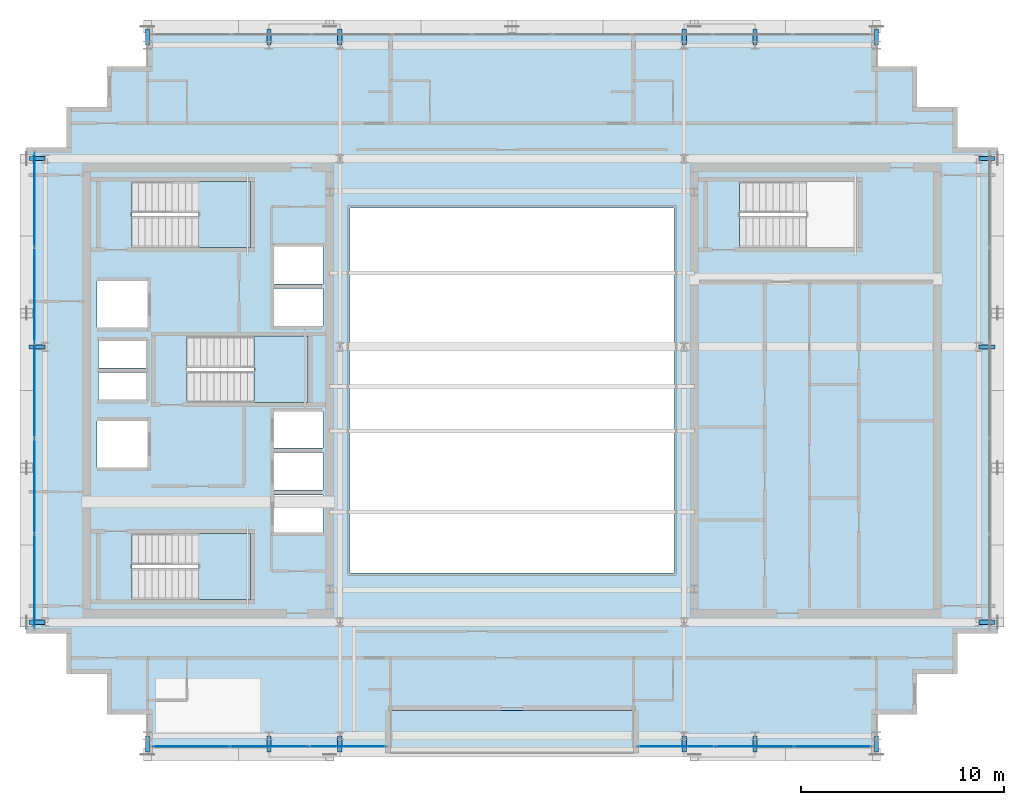
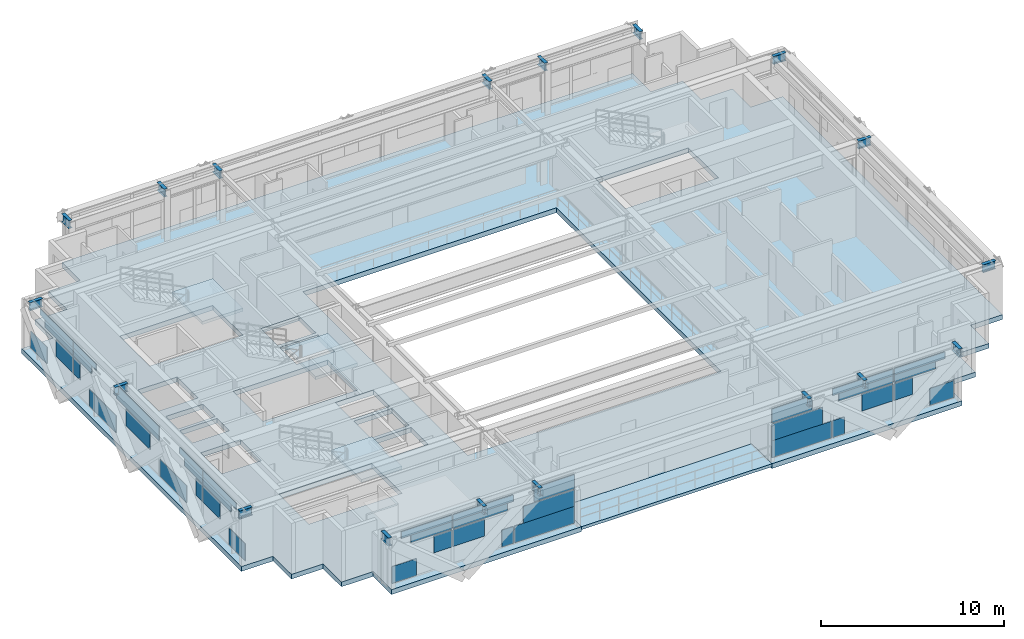
# One storey, part 18 of 29: 40 plates, 18 beams, 5 slabs, 6 elements without a shape of their own.
"""IFC4 building model written with IfcOpenShell, lengths in metres."""

import ifcopenshell
import ifcopenshell.guid

model = None  # the IFC model being written
_history = None  # IfcOwnerHistory: only IFC2X3 demands one
_inside = {}  # id of a spatial element -> (the spatial element, [elements in it])
_under = {}  # id of a project, library or spatial element -> (it, [spatial elements below it])
_declared = {}  # id of a project -> (the project, [libraries it declares])
_typed = {}  # id of a type object -> (the type object, [elements of that type])
_made_of = {}  # id of a material, layer set ... -> (it, [elements and type objects made of it])


def new_model(schema):
    """Start an empty IFC model of exactly this schema.

    Asked for "IFC4X3", IfcOpenShell would pick the latest addendum, in which some entities
    have other attributes; the version numbers below select the first issue.
    IFC2X3 requires an IfcOwnerHistory on every rooted entity: one is made here for all.
    """
    global model, _history
    if schema == "IFC4X3":
        model = ifcopenshell.file(schema_version=(4, 3, 0, 0))
    else:
        model = ifcopenshell.file(schema=schema)
    _inside.clear()
    _under.clear()
    _declared.clear()
    _typed.clear()
    _made_of.clear()
    _history = None
    if model.schema == "IFC2X3":
        org = make("IfcOrganization", Name="unknown")
        user = make(
            "IfcPersonAndOrganization",
            ThePerson=make("IfcPerson", FamilyName="unknown"),
            TheOrganization=org,
        )
        app = make(
            "IfcApplication",
            ApplicationDeveloper=org,
            Version="unknown",
            ApplicationFullName="unknown",
            ApplicationIdentifier="unknown",
        )
        _history = make(
            "IfcOwnerHistory",
            OwningUser=user,
            OwningApplication=app,
            ChangeAction="ADDED",
            CreationDate=0,
        )
    return model


def make(cls, **values):
    """One entity of the class cls with the attributes given. An attribute that is None is left unset."""
    return model.create_entity(
        cls, **{name: value for name, value in values.items() if value is not None}
    )


def rooted(cls, **values):
    """An entity with a GlobalId (a new one), such as an element, a storey or a relation."""
    return make(cls, GlobalId=ifcopenshell.guid.new(), OwnerHistory=_history, **values)


def si_unit(unit_type, name, prefix=None):
    """IfcSIUnit, for example si_unit("LENGTHUNIT", "METRE", prefix="MILLI")."""
    return make("IfcSIUnit", UnitType=unit_type, Prefix=prefix, Name=name)


def assignment(units):
    """IfcUnitAssignment: the units of a project."""
    return None if units is None else make("IfcUnitAssignment", Units=units)


def point(xyz):
    """IfcCartesianPoint."""
    return None if xyz is None else make("IfcCartesianPoint", Coordinates=xyz)


def direction(xyz):
    """IfcDirection."""
    return None if xyz is None else make("IfcDirection", DirectionRatios=xyz)


def frame(location, z_axis=None, x_axis=None):
    """IfcAxis2Placement3D, a coordinate frame: its origin and axes. An axis left out is left unset."""
    return make(
        "IfcAxis2Placement3D",
        Location=point(location),
        Axis=direction(z_axis),
        RefDirection=direction(x_axis),
    )


def frame_2d(location, x_axis=None):
    """IfcAxis2Placement2D, a coordinate frame in the plane: its origin and x axis."""
    return make(
        "IfcAxis2Placement2D", Location=point(location), RefDirection=direction(x_axis)
    )


def origin():
    """The frame at (0, 0, 0) with its axes left unset."""
    return frame((0.0, 0.0, 0.0))


def origin_2d():
    """The frame at (0, 0) in the plane with its x axis left unset."""
    return frame_2d((0.0, 0.0))


def place(relative_to, where):
    """IfcLocalPlacement: puts the frame where relative to a parent placement (None: the world)."""
    return make(
        "IfcLocalPlacement", PlacementRelTo=relative_to, RelativePlacement=where
    )


def context(
    kind, dimensions, precision=None, world=None, true_north=None, identifier=None
):
    """IfcGeometricRepresentationContext, for example the 3D "Model" context."""
    return make(
        "IfcGeometricRepresentationContext",
        ContextIdentifier=identifier,
        ContextType=kind,
        CoordinateSpaceDimension=dimensions,
        Precision=precision,
        WorldCoordinateSystem=world,
        TrueNorth=true_north,
    )


def subcontext(parent, identifier, kind, view, scale=None):
    """IfcGeometricRepresentationSubContext, for example "Body" below "Model"."""
    return make(
        "IfcGeometricRepresentationSubContext",
        ContextIdentifier=identifier,
        ContextType=kind,
        ParentContext=parent,
        TargetScale=scale,
        TargetView=view,
    )


def project(units=None, contexts=None):
    """IfcProject with its units and contexts."""
    return rooted(
        "IfcProject",
        Name="project",
        RepresentationContexts=contexts,
        UnitsInContext=assignment(units),
    )


def spatial(cls, under=None, at=None, **own):
    """A site, building, storey or space (cls), placed at a placement, below another one or the project."""
    s = rooted(cls, ObjectPlacement=at, **own)
    if under is not None:
        _under.setdefault(under.id(), (under, []))[1].append(s)
    return s


def polyline(points):
    """IfcPolyline through the points."""
    return make("IfcPolyline", Points=[point(p) for p in points])


def profile(cls, at=None, kind="AREA", **sizes):
    """A parametric profile (cls). Its sizes go by their IFC names, for example OverallWidth=200.0."""
    return make(cls, ProfileType=kind, Position=at, **sizes)


def rectangle(**sizes):
    """IfcRectangleProfileDef."""
    return profile("IfcRectangleProfileDef", **sizes)


def i_section(**sizes):
    """IfcIShapeProfileDef."""
    return profile("IfcIShapeProfileDef", **sizes)


def outline(outer, holes=None, kind="AREA"):
    """IfcArbitraryClosedProfileDef: a profile drawn as a closed curve; with holes, ...WithVoids."""
    if holes is None:
        return make("IfcArbitraryClosedProfileDef", ProfileType=kind, OuterCurve=outer)
    return make(
        "IfcArbitraryProfileDefWithVoids",
        ProfileType=kind,
        OuterCurve=outer,
        InnerCurves=holes,
    )


def extrude(swept, where, along, depth):
    """IfcExtrudedAreaSolid: the profile swept, set in the frame where, extruded along a direction by depth."""
    return make(
        "IfcExtrudedAreaSolid",
        SweptArea=swept,
        Position=where,
        ExtrudedDirection=direction(along),
        Depth=depth,
    )


def shape(context_of_items, identifier, shape_type, items):
    """IfcShapeRepresentation: the items that make up one representation, for example the "Body"."""
    return make(
        "IfcShapeRepresentation",
        ContextOfItems=context_of_items,
        RepresentationIdentifier=identifier,
        RepresentationType=shape_type,
        Items=items,
    )


def source(mapping_origin, context_of_items, identifier, shape_type, items):
    """IfcRepresentationMap: a shape defined once, which mapped items show again and again."""
    return make(
        "IfcRepresentationMap",
        MappingOrigin=mapping_origin,
        MappedRepresentation=shape(context_of_items, identifier, shape_type, items),
    )


def transform(
    local_origin,
    x_axis=None,
    y_axis=None,
    z_axis=None,
    scale=None,
    scale2=None,
    scale3=None,
    uniform=True,
):
    """IfcCartesianTransformationOperator3D, or its non-uniform kind. x_axis, y_axis, z_axis: its Axis1, 2, 3."""
    if uniform:
        return make(
            "IfcCartesianTransformationOperator3D",
            Axis1=direction(x_axis),
            Axis2=direction(y_axis),
            LocalOrigin=point(local_origin),
            Scale=scale,
            Axis3=direction(z_axis),
        )
    return make(
        "IfcCartesianTransformationOperator3DnonUniform",
        Axis1=direction(x_axis),
        Axis2=direction(y_axis),
        LocalOrigin=point(local_origin),
        Scale=scale,
        Axis3=direction(z_axis),
        Scale2=scale2,
        Scale3=scale3,
    )


def mapped(mapping_source, mapping_target):
    """IfcMappedItem: shows the shape of a source again, moved by a transform."""
    return make(
        "IfcMappedItem", MappingSource=mapping_source, MappingTarget=mapping_target
    )


def material(Name=None, Category=None):
    """IfcMaterial."""
    return make("IfcMaterial", Name=Name, Category=Category)


def layer(
    of_material, thickness, ventilated=None, Name=None, Category=None, Priority=None
):
    """IfcMaterialLayer: one layer of a wall or slab, of a material (None: an air gap)."""
    return make(
        "IfcMaterialLayer",
        Material=of_material,
        LayerThickness=thickness,
        IsVentilated=ventilated,
        Name=Name,
        Category=Category,
        Priority=Priority,
    )


def layer_set(layers, Name=None):
    """IfcMaterialLayerSet."""
    return make("IfcMaterialLayerSet", MaterialLayers=layers, LayerSetName=Name)


def material_profile(
    of_material, cross_section, Name=None, Category=None, Priority=None
):
    """IfcMaterialProfile: a cross section and its material."""
    return make(
        "IfcMaterialProfile",
        Name=Name,
        Material=of_material,
        Profile=cross_section,
        Priority=Priority,
        Category=Category,
    )


def profile_set(profiles, Name=None, composite=None):
    """IfcMaterialProfileSet."""
    return make(
        "IfcMaterialProfileSet",
        Name=Name,
        MaterialProfiles=profiles,
        CompositeProfile=composite,
    )


def made_of(thing, what):
    """Note that an element or type object is made of a material, layer set ...; save() writes the relation."""
    if what is not None:
        _made_of.setdefault(what.id(), (what, []))[1].append(thing)
    return thing


def type_object(cls, material=None, **own):
    """A type object (cls), such as IfcWallType, which elements share."""
    return made_of(rooted(cls, **own), material)


def element(
    cls,
    number,
    at=None,
    inside=None,
    cuts=None,
    type_object=None,
    material=None,
    context=None,
    identifier="Body",
    shape_type=None,
    held_by="IfcProductDefinitionShape",
    body=None,
    shapes=None,
    **own,
):
    """One element of the class cls, such as IfcWall. Its Tag is "e" and its number.

    at: its placement. inside: the storey or other place that contains it. cuts: it is an
    opening in that element (IfcRelVoidsElement). A single representation is given by context,
    identifier, shape_type and body (its items); several are given by shapes. held_by: the class
    of the entity that holds the representations. save() writes the other relations.
    """
    e = rooted(cls, Tag="e%d" % number, ObjectPlacement=at, **own)
    if body is not None:
        shapes = [shape(context, identifier, shape_type, body)]
    if shapes is not None:
        e.Representation = make(held_by, Representations=shapes)
    if inside is not None:
        _inside.setdefault(inside.id(), (inside, []))[1].append(e)
    if cuts is not None:
        rooted(
            "IfcRelVoidsElement", RelatingBuildingElement=cuts, RelatedOpeningElement=e
        )
    if type_object is not None:
        _typed.setdefault(type_object.id(), (type_object, []))[1].append(e)
    return made_of(e, material)


def aggregate(whole, parts):
    """IfcRelAggregates: a whole, such as a stair, and the parts it consists of."""
    return rooted("IfcRelAggregates", RelatingObject=whole, RelatedObjects=parts)


def save(model, path):
    """Write the relations noted so far, then the file.

    IfcRelAggregates (storeys below a building ...), IfcRelContainedInSpatialStructure (elements
    in a storey), IfcRelDefinesByType, IfcRelAssociatesMaterial and IfcRelDeclares: one each for
    every whole, place, type object, material and project.
    """
    for whole, parts in _under.values():
        aggregate(whole, parts)
    for where, things in _inside.values():
        rooted(
            "IfcRelContainedInSpatialStructure",
            RelatedElements=things,
            RelatingStructure=where,
        )
    for kind, things in _typed.values():
        rooted("IfcRelDefinesByType", RelatedObjects=things, RelatingType=kind)
    for what, things in _made_of.values():
        rooted("IfcRelAssociatesMaterial", RelatedObjects=things, RelatingMaterial=what)
    for by, libraries in _declared.values():
        rooted("IfcRelDeclares", RelatingContext=by, RelatedDefinitions=libraries)
    model.write(path)


model = new_model("IFC4")

# Units and contexts
model_context = context("Model", 3, precision=1e-05, world=origin(), true_north=direction((0.0, 1.0)))
body_context = subcontext(model_context, "Body", "Model", "MODEL_VIEW")
ifc_project = project(units=[si_unit("LENGTHUNIT", "METRE"), si_unit("AREAUNIT", "SQUARE_METRE"), si_unit("VOLUMEUNIT", "CUBIC_METRE"), si_unit("PLANEANGLEUNIT", "RADIAN"), si_unit("MASSUNIT", "GRAM", prefix="KILO")], contexts=[model_context])

# Site, building, storey
site_placement = place(None, origin())
site = spatial("IfcSite", under=ifc_project, at=site_placement, CompositionType="ELEMENT")
building_placement = place(site_placement, origin())
building = spatial("IfcBuilding", under=site, at=building_placement, Name="Ocotamira Hotel", CompositionType="ELEMENT")
storey_placement = place(building_placement, frame((0.0, 0.0, 247.199951171875)))
storey = spatial("IfcBuildingStorey", under=building, at=storey_placement, Name="L62", CompositionType="ELEMENT", Elevation=247.199951171875)

# Beams
ifc_material_1 = material(Name="Steel ASTM A992 Grade 50", Category="steel")
ifc_material_profile = material_profile(ifc_material_1, i_section(OverallWidth=0.2099609375, OverallDepth=0.537109375, WebThickness=0.010986328125, FlangeThickness=0.017333984375, FilletRadius=0.012939453125, at=origin_2d()), Name="W21X68")
ifc_profile_set = profile_set([ifc_material_profile], Name="Steel ASTM A992 Grade 50")
beam_type = type_object("IfcBeamType", Name="BM-SEC-W21X68", PredefinedType="JOIST", material=ifc_profile_set)
shared_shape_1 = source(origin(), body_context, "Body", "SweptSolid", [
    extrude(i_section(OverallWidth=0.2099609375, OverallDepth=0.537109375, WebThickness=0.010986328125, FlangeThickness=0.017333984375, FilletRadius=0.012939453125, at=origin_2d()), origin(), (0.0, 0.0, 1.0), 0.800048828125),
])
for number, where, z_axis, x_axis, name in (
    (1, (14.0, 8.949951171875, 3.111572265625), (0.0, -1.0, 0.0), (1.0, 0.0, 0.0), "L62 South Edge Header X14"),
    (2, (14.0, 43.050048828125, 3.111572265625), (0.0, 1.0, 0.0), (-1.0, 0.0, 0.0), "L62 North Edge Header X14"),
    (3, (20.0, 8.949951171875, 3.111572265625), (0.0, -1.0, 0.0), (1.0, 0.0, 0.0), "L62 South Edge Header X20"),
    (4, (20.0, 43.050048828125, 3.111572265625), (0.0, 1.0, 0.0), (-1.0, 0.0, 0.0), "L62 North Edge Header X20"),
    (5, (23.5, 8.949951171875, 3.111572265625), (0.0, -1.0, 0.0), (1.0, 0.0, 0.0), "L62 South Edge Header X23.5"),
    (6, (23.5, 43.050048828125, 3.111572265625), (0.0, 1.0, 0.0), (-1.0, 0.0, 0.0), "L62 North Edge Header X23.5"),
    (7, (40.5, 8.949951171875, 3.111572265625), (0.0, -1.0, 0.0), (1.0, 0.0, 0.0), "L62 South Edge Header X40.5"),
    (8, (40.5, 43.050048828125, 3.111572265625), (0.0, 1.0, 0.0), (-1.0, 0.0, 0.0), "L62 North Edge Header X40.5"),
    (9, (44.0, 8.949951171875, 3.111572265625), (0.0, -1.0, 0.0), (1.0, 0.0, 0.0), "L62 South Edge Header X44"),
    (10, (44.0, 43.050048828125, 3.111572265625), (0.0, 1.0, 0.0), (-1.0, 0.0, 0.0), "L62 North Edge Header X44"),
    (11, (50.0, 8.949951171875, 3.111572265625), (0.0, -1.0, 0.0), (1.0, 0.0, 0.0), "L62 South Edge Header X50"),
    (12, (50.0, 43.050048828125, 3.111572265625), (0.0, 1.0, 0.0), (-1.0, 0.0, 0.0), "L62 North Edge Header X50"),
    (13, (8.949951171875, 14.550048828125, 3.111572265625), (-1.0, 0.0, 0.0), (0.0, -1.0, 0.0), "L62 West Edge Header Y14.55"),
    (14, (55.050048828125, 14.550048828125, 3.111572265625), (1.0, 0.0, 0.0), (0.0, 1.0, 0.0), "L62 East Edge Header Y14.55"),
    (15, (8.949951171875, 28.14990234375, 3.111572265625), (-1.0, 0.0, 0.0), (0.0, -1.0, 0.0), "L62 West Edge Header Y28.15"),
    (16, (55.050048828125, 28.14990234375, 3.111572265625), (1.0, 0.0, 0.0), (0.0, 1.0, 0.0), "L62 East Edge Header Y28.15"),
    (17, (8.949951171875, 37.449951171875, 3.111572265625), (-1.0, 0.0, 0.0), (0.0, -1.0, 0.0), "L62 West Edge Header Y37.45"),
    (18, (55.050048828125, 37.449951171875, 3.111572265625), (1.0, 0.0, 0.0), (0.0, 1.0, 0.0), "L62 East Edge Header Y37.45"),
):
    element("IfcBeam", number, at=place(storey_placement, frame(where, z_axis=z_axis, x_axis=x_axis)), inside=storey, type_object=beam_type, Name=name, PredefinedType="JOIST", context=body_context, shape_type="MappedRepresentation", body=[
        mapped(shared_shape_1, transform((0.0, 0.0, 0.0), scale=1.0)),
    ])

# Slabs
ifc_material_2 = material(Name="Concrete C40/50", Category="concrete")
ifc_layer_1 = layer(ifc_material_2, 0.199951171875)
ifc_layer_set_1 = layer_set([ifc_layer_1], Name="Concrete C40/50")
slab_type_1 = type_object("IfcSlabType", Name="SLB-BAL-200", PredefinedType="FLOOR", material=ifc_layer_set_1)
slab_1_placement = place(storey_placement, frame((0.0, 0.0, -0.199951171875)))
element("IfcSlab", 19, at=slab_1_placement, inside=storey, type_object=slab_type_1, Name="L62 Outdoor Sky Terrace Slab 1", PredefinedType="FLOOR", context=body_context, shape_type="SweptSolid", body=[
    extrude(outline(polyline([(26.0, 8.0), (38.0, 8.0), (38.0, 10.199951171875), (26.0, 10.199951171875), (26.0, 8.0)])), origin(), (0.0, 0.0, 1.0), 0.199951171875),
])
ifc_layer_2 = layer(ifc_material_2, 0.320068359375)
ifc_layer_set_2 = layer_set([ifc_layer_2], Name="Concrete C40/50")
slab_type_2 = type_object("IfcSlabType", Name="SLB-HVY-320", PredefinedType="FLOOR", material=ifc_layer_set_2)
slab_2_placement = place(storey_placement, frame((0.0, 0.0, -0.320068359375)))
element("IfcSlab", 20, at=slab_2_placement, inside=storey, type_object=slab_type_2, Name="L62 Structural Floor Slab", PredefinedType="FLOOR", context=body_context, shape_type="SweptSolid", body=[
    extrude(outline(polyline([(14.0, 8.0), (14.0, 10.0), (12.0, 10.0), (12.0, 12.0), (10.0, 12.0), (10.0, 14.0), (8.0, 14.0), (8.0, 38.0), (10.0, 38.0), (10.0, 40.0), (12.0, 40.0), (12.0, 42.0), (14.0, 42.0), (14.0, 44.0), (50.0, 44.0), (50.0, 42.0), (52.0, 42.0), (52.0, 40.0), (54.0, 40.0), (54.0, 38.0), (56.0, 38.0), (56.0, 14.0), (54.0, 14.0), (54.0, 12.0), (52.0, 12.0), (52.0, 10.0), (50.0, 10.0), (50.0, 8.0), (38.0, 8.0), (38.0, 10.199951171875), (26.0, 10.199951171875), (26.0, 8.0), (14.0, 8.0)]), holes=[polyline([(24.0, 17.0), (40.0, 17.0), (40.0, 35.0), (24.0, 35.0), (24.0, 17.0)]), polyline([(13.22998046875, 15.669921875), (19.090087890625, 15.669921875), (19.090087890625, 18.949951171875), (13.22998046875, 18.949951171875), (13.22998046875, 15.669921875)]), polyline([(13.22998046875, 33.050048828125), (19.090087890625, 33.050048828125), (19.090087890625, 36.330078125), (13.22998046875, 36.330078125), (13.22998046875, 33.050048828125)]), polyline([(15.9599609375, 25.39990234375), (21.919921875, 25.39990234375), (21.919921875, 28.679931640625), (15.9599609375, 28.679931640625), (15.9599609375, 25.39990234375)]), polyline([(43.22998046875, 33.050048828125), (49.090087890625, 33.050048828125), (49.090087890625, 36.330078125), (43.22998046875, 36.330078125), (43.22998046875, 33.050048828125)]), polyline([(20.25, 19.0), (22.659912109375, 19.0), (22.659912109375, 20.85009765625), (20.25, 20.85009765625), (20.25, 19.0)]), polyline([(20.25, 21.080078125), (22.659912109375, 21.080078125), (22.659912109375, 22.929931640625), (20.25, 22.929931640625), (20.25, 21.080078125)]), polyline([(20.25, 23.159912109375), (22.659912109375, 23.159912109375), (22.659912109375, 24.9599609375), (20.25, 24.9599609375), (20.25, 23.159912109375)]), polyline([(20.25, 29.179931640625), (22.659912109375, 29.179931640625), (22.659912109375, 31.030029296875), (20.25, 31.030029296875), (20.25, 29.179931640625)]), polyline([(20.25, 31.260009765625), (22.659912109375, 31.260009765625), (22.659912109375, 33.110107421875), (20.25, 33.110107421875), (20.25, 31.260009765625)]), polyline([(11.5, 22.199951171875), (14.0, 22.199951171875), (14.0, 24.5), (11.5, 24.5), (11.5, 22.199951171875)]), polyline([(11.5, 29.10009765625), (14.0, 29.10009765625), (14.0, 31.39990234375), (11.5, 31.39990234375), (11.5, 29.10009765625)]), polyline([(11.580078125, 25.550048828125), (13.919921875, 25.550048828125), (13.919921875, 26.89990234375), (11.580078125, 26.89990234375), (11.580078125, 25.550048828125)]), polyline([(11.580078125, 27.10009765625), (13.919921875, 27.10009765625), (13.919921875, 28.449951171875), (11.580078125, 28.449951171875), (11.580078125, 27.10009765625)])]), origin(), (0.0, 0.0, 1.0), 0.320068359375),
])

# Stair, slab
stair_type = type_object("IfcStairType", Name="ST-CORE-1560", PredefinedType="HALF_TURN_STAIR", material=ifc_material_2)
stair_1_placement = place(storey_placement, origin())
stair_1 = element("IfcStair", 21, at=stair_1_placement, inside=storey, type_object=stair_type, Name="L62 Exit Stair ST-1", PredefinedType="HALF_TURN_STAIR")
ifc_layer_3 = layer(ifc_material_2, 0.199951171875)
ifc_layer_set_3 = layer_set([ifc_layer_3], Name="Concrete C40/50")
slab_type_3 = type_object("IfcSlabType", Name="SLB-LAND-200", PredefinedType="LANDING", material=ifc_layer_set_3)
slab_3_placement = place(storey_placement, frame((0.0, 0.0, 1.60009765625)))
slab_3 = element("IfcSlab", 22, at=slab_3_placement, type_object=slab_type_3, Name="ST-1 landing 1", PredefinedType="LANDING", context=body_context, shape_type="SweptSolid", body=[
    extrude(outline(polyline([(16.530029296875, 15.669921875), (19.090087890625, 15.669921875), (19.090087890625, 18.949951171875), (16.530029296875, 18.949951171875), (16.530029296875, 15.669921875)])), origin(), (0.0, 0.0, 1.0), 0.199951171875),
])
aggregate(stair_1, [slab_3])

stair_2_placement = place(storey_placement, origin())
stair_2 = element("IfcStair", 23, at=stair_2_placement, inside=storey, type_object=stair_type, Name="L62 Exit Stair ST-2", PredefinedType="HALF_TURN_STAIR")
slab_4_placement = place(storey_placement, frame((0.0, 0.0, 1.60009765625)))
slab_4 = element("IfcSlab", 24, at=slab_4_placement, type_object=slab_type_3, Name="ST-2 landing 1", PredefinedType="LANDING", context=body_context, shape_type="SweptSolid", body=[
    extrude(outline(polyline([(16.530029296875, 33.050048828125), (19.090087890625, 33.050048828125), (19.090087890625, 36.330078125), (16.530029296875, 36.330078125), (16.530029296875, 33.050048828125)])), origin(), (0.0, 0.0, 1.0), 0.199951171875),
])
aggregate(stair_2, [slab_4])

stair_3_placement = place(storey_placement, origin())
stair_3 = element("IfcStair", 25, at=stair_3_placement, inside=storey, type_object=stair_type, Name="L62 Exit Stair ST-3", PredefinedType="HALF_TURN_STAIR")
slab_5_placement = place(storey_placement, frame((0.0, 0.0, 1.60009765625)))
slab_5 = element("IfcSlab", 26, at=slab_5_placement, type_object=slab_type_3, Name="ST-3 landing 1", PredefinedType="LANDING", context=body_context, shape_type="SweptSolid", body=[
    extrude(outline(polyline([(19.260009765625, 25.39990234375), (21.919921875, 25.39990234375), (21.919921875, 28.679931640625), (19.260009765625, 28.679931640625), (19.260009765625, 25.39990234375)])), origin(), (0.0, 0.0, 1.0), 0.199951171875),
])
aggregate(stair_3, [slab_5])

# Curtain wall, plate
ifc_material_3 = material(Name="Anodised pale-metal aluminium and solar glass", Category="aluminium")
ifc_layer_4 = layer(ifc_material_3, 0.239990234375)
ifc_layer_set_4 = layer_set([ifc_layer_4], Name="Anodised pale-metal aluminium and solar glass")
curtain_wall_type = type_object("IfcCurtainWallType", Name="CW-SYS5-SKY", PredefinedType="NOTDEFINED", material=ifc_layer_set_4)
curtain_wall_1_placement = place(storey_placement, origin())
curtain_wall_1 = element("IfcCurtainWall", 27, at=curtain_wall_1_placement, inside=storey, type_object=curtain_wall_type, Name="L62 Curtain Wall CW-5 CW-L62-S1", PredefinedType="NOTDEFINED")
ifc_material_4 = material(Name="Double-silver low-E insulated solar glass", Category="glass")
ifc_layer_5 = layer(ifc_material_4, 0.031982421875)
ifc_layer_set_5 = layer_set([ifc_layer_5], Name="Double-silver low-E insulated solar glass")
plate_type = type_object("IfcPlateType", Name="CWP-VISION-32", PredefinedType="CURTAIN_PANEL", material=ifc_layer_set_5)
shared_shape_2 = source(origin(), body_context, "Body", "SweptSolid", [
    extrude(rectangle(XDim=3.76318359375, YDim=0.031982421875, at=origin_2d()), origin(), (0.0, 0.0, 1.0), 1.118896484375),
])
plate_1_placement = place(storey_placement, frame((23.88818359375, 8.419921875, 0.0751953125), z_axis=(0.0, 0.0, 1.0), x_axis=(1.0, 0.0, 0.0)))
plate_1 = element("IfcPlate", 28, at=plate_1_placement, type_object=plate_type, Name="CW-5 panel 3.1.1", PredefinedType="CURTAIN_PANEL", context=body_context, shape_type="MappedRepresentation", body=[
    mapped(shared_shape_2, transform((0.0, 0.0, 0.0), scale=1.0)),
])

curtain_wall_2_placement = place(storey_placement, origin())
curtain_wall_2 = element("IfcCurtainWall", 29, at=curtain_wall_2_placement, inside=storey, type_object=curtain_wall_type, Name="L62 Curtain Wall CW-5 CW-L62-S2", PredefinedType="NOTDEFINED")
plate_2_placement = place(storey_placement, frame((40.11181640625, 8.419921875, 0.0751953125), z_axis=(0.0, 0.0, 1.0), x_axis=(1.0, 0.0, 0.0)))
plate_2 = element("IfcPlate", 30, at=plate_2_placement, type_object=plate_type, Name="CW-5 panel 1.1.1", PredefinedType="CURTAIN_PANEL", context=body_context, shape_type="MappedRepresentation", body=[
    mapped(shared_shape_2, transform((0.0, 0.0, 0.0), scale=1.0)),
])

curtain_wall_3_placement = place(storey_placement, origin())
curtain_wall_3 = element("IfcCurtainWall", 31, at=curtain_wall_3_placement, inside=storey, type_object=curtain_wall_type, Name="L62 Curtain Wall CW-5 CW-L62-W", PredefinedType="NOTDEFINED")
shared_shape_3 = source(origin(), body_context, "Body", "SweptSolid", [
    extrude(rectangle(XDim=4.639892578125, YDim=0.031982421875, at=origin_2d()), origin(), (0.0, 0.0, 1.0), 0.91748046875),
])
plate_3_placement = place(storey_placement, frame((8.419921875, 26.0, 2.387451171875), z_axis=(0.0, 0.0, 1.0), x_axis=(0.0, 1.0, 0.0)))
plate_3 = element("IfcPlate", 32, at=plate_3_placement, type_object=plate_type, Name="CW-5 panel 3.2", PredefinedType="CURTAIN_PANEL", context=body_context, shape_type="MappedRepresentation", body=[
    mapped(shared_shape_3, transform((0.0, 0.0, 0.0), scale=1.0)),
])

# Plate
shared_shape_4 = source(origin(), body_context, "Body", "SweptSolid", [
    extrude(rectangle(XDim=1.523681640625, YDim=0.031982421875, at=origin_2d()), origin(), (0.0, 0.0, 1.0), 1.118896484375),
])
plate_4_placement = place(storey_placement, frame((15.0419921875, 8.419921875, 0.0751953125), z_axis=(0.0, 0.0, 1.0), x_axis=(1.0, 0.0, 0.0)))
plate_4 = element("IfcPlate", 33, at=plate_4_placement, type_object=plate_type, Name="CW-5 panel 1.1.1", PredefinedType="CURTAIN_PANEL", context=body_context, shape_type="MappedRepresentation", body=[
    mapped(shared_shape_4, transform((0.0, 0.0, 0.0), scale=1.0)),
])

plate_5_placement = place(storey_placement, frame((48.9580078125, 8.419921875, 0.0751953125), z_axis=(0.0, 0.0, 1.0), x_axis=(1.0, 0.0, 0.0)))
plate_5 = element("IfcPlate", 34, at=plate_5_placement, type_object=plate_type, Name="CW-5 panel 3.1.2", PredefinedType="CURTAIN_PANEL", context=body_context, shape_type="MappedRepresentation", body=[
    mapped(shared_shape_4, transform((0.0, 0.0, 0.0), scale=1.0)),
])

shared_shape_5 = source(origin(), body_context, "Body", "SweptSolid", [
    extrude(rectangle(XDim=1.13720703125, YDim=0.031982421875, at=origin_2d()), origin(), (0.0, 0.0, 1.0), 1.11865234375),
])
plate_6_placement = place(storey_placement, frame((17.474609375, 8.419921875, 1.19384765625), z_axis=(0.0, 0.0, 1.0), x_axis=(1.0, 0.0, 0.0)))
plate_6 = element("IfcPlate", 35, at=plate_6_placement, type_object=plate_type, Name="CW-5 panel 1.1.2", PredefinedType="CURTAIN_PANEL", context=body_context, shape_type="MappedRepresentation", body=[
    mapped(shared_shape_5, transform((0.0, 0.0, 0.0), scale=1.0)),
])

plate_7_placement = place(storey_placement, frame((46.525390625, 8.419921875, 1.19384765625), z_axis=(0.0, 0.0, 1.0), x_axis=(1.0, 0.0, 0.0)))
plate_7 = element("IfcPlate", 36, at=plate_7_placement, type_object=plate_type, Name="CW-5 panel 3.1.1", PredefinedType="CURTAIN_PANEL", context=body_context, shape_type="MappedRepresentation", body=[
    mapped(shared_shape_5, transform((0.0, 0.0, 0.0), scale=1.0)),
])

shared_shape_6 = source(origin(), body_context, "Body", "SweptSolid", [
    extrude(rectangle(XDim=3.182861328125, YDim=0.031982421875, at=origin_2d()), origin(), (0.0, 0.0, 1.0), 0.429443359375),
])
plate_8_placement = place(storey_placement, frame((16.451904296875, 8.419921875, 2.87548828125), z_axis=(0.0, 0.0, 1.0), x_axis=(1.0, 0.0, 0.0)))
plate_8 = element("IfcPlate", 37, at=plate_8_placement, type_object=plate_type, Name="CW-5 panel 1.2.1", PredefinedType="CURTAIN_PANEL", context=body_context, shape_type="MappedRepresentation", body=[
    mapped(shared_shape_6, transform((0.0, 0.0, 0.0), scale=1.0)),
])

plate_9_placement = place(storey_placement, frame((47.548095703125, 8.419921875, 2.87548828125), z_axis=(0.0, 0.0, 1.0), x_axis=(1.0, 0.0, 0.0)))
plate_9 = element("IfcPlate", 38, at=plate_9_placement, type_object=plate_type, Name="CW-5 panel 3.2.2", PredefinedType="CURTAIN_PANEL", context=body_context, shape_type="MappedRepresentation", body=[
    mapped(shared_shape_6, transform((0.0, 0.0, 0.0), scale=1.0)),
])

shared_shape_7 = source(origin(), body_context, "Body", "SweptSolid", [
    extrude(rectangle(XDim=2.589111328125, YDim=0.031982421875, at=origin_2d()), origin(), (0.0, 0.0, 1.0), 0.488037109375),
])
plate_10_placement = place(storey_placement, frame((16.748779296875, 8.419921875, 2.3876953125), z_axis=(0.0, 0.0, 1.0), x_axis=(1.0, 0.0, 0.0)))
plate_10 = element("IfcPlate", 39, at=plate_10_placement, type_object=plate_type, Name="CW-5 panel 1.2.2", PredefinedType="CURTAIN_PANEL", context=body_context, shape_type="MappedRepresentation", body=[
    mapped(shared_shape_7, transform((0.0, 0.0, 0.0), scale=1.0)),
])

plate_11_placement = place(storey_placement, frame((47.251220703125, 8.419921875, 2.3876953125), z_axis=(0.0, 0.0, 1.0), x_axis=(1.0, 0.0, 0.0)))
plate_11 = element("IfcPlate", 40, at=plate_11_placement, type_object=plate_type, Name="CW-5 panel 3.2.1", PredefinedType="CURTAIN_PANEL", context=body_context, shape_type="MappedRepresentation", body=[
    mapped(shared_shape_7, transform((0.0, 0.0, 0.0), scale=1.0)),
])

shared_shape_8 = source(origin(), body_context, "Body", "SweptSolid", [
    extrude(rectangle(XDim=1.970703125, YDim=0.031982421875, at=origin_2d()), origin(), (0.0, 0.0, 1.0), 1.11865234375),
])
plate_12_placement = place(storey_placement, frame((19.108642578125, 8.419921875, 1.19384765625), z_axis=(0.0, 0.0, 1.0), x_axis=(1.0, 0.0, 0.0)))
plate_12 = element("IfcPlate", 41, at=plate_12_placement, type_object=plate_type, Name="CW-5 panel 2.1.1", PredefinedType="CURTAIN_PANEL", context=body_context, shape_type="MappedRepresentation", body=[
    mapped(shared_shape_8, transform((0.0, 0.0, 0.0), scale=1.0)),
])

plate_13_placement = place(storey_placement, frame((44.891357421875, 8.419921875, 1.19384765625), z_axis=(0.0, 0.0, 1.0), x_axis=(1.0, 0.0, 0.0)))
plate_13 = element("IfcPlate", 42, at=plate_13_placement, type_object=plate_type, Name="CW-5 panel 2.1.2", PredefinedType="CURTAIN_PANEL", context=body_context, shape_type="MappedRepresentation", body=[
    mapped(shared_shape_8, transform((0.0, 0.0, 0.0), scale=1.0)),
])

shared_shape_9 = source(origin(), body_context, "Body", "SweptSolid", [
    extrude(rectangle(XDim=0.73046875, YDim=0.031982421875, at=origin_2d()), origin(), (0.0, 0.0, 1.0), 1.118896484375),
])
plate_14_placement = place(storey_placement, frame((21.561279296875, 8.419921875, 0.0751953125), z_axis=(0.0, 0.0, 1.0), x_axis=(1.0, 0.0, 0.0)))
plate_14 = element("IfcPlate", 43, at=plate_14_placement, type_object=plate_type, Name="CW-5 panel 2.1.2", PredefinedType="CURTAIN_PANEL", context=body_context, shape_type="MappedRepresentation", body=[
    mapped(shared_shape_9, transform((0.0, 0.0, 0.0), scale=1.0)),
])

plate_15_placement = place(storey_placement, frame((42.438720703125, 8.419921875, 0.0751953125), z_axis=(0.0, 0.0, 1.0), x_axis=(1.0, 0.0, 0.0)))
plate_15 = element("IfcPlate", 44, at=plate_15_placement, type_object=plate_type, Name="CW-5 panel 2.1.1", PredefinedType="CURTAIN_PANEL", context=body_context, shape_type="MappedRepresentation", body=[
    mapped(shared_shape_9, transform((0.0, 0.0, 0.0), scale=1.0)),
])

shared_shape_10 = source(origin(), body_context, "Body", "SweptSolid", [
    extrude(rectangle(XDim=3.422607421875, YDim=0.031982421875, at=origin_2d()), origin(), (0.0, 0.0, 1.0), 0.488037109375),
])
plate_16_placement = place(storey_placement, frame((19.834716796875, 8.419921875, 2.3876953125), z_axis=(0.0, 0.0, 1.0), x_axis=(1.0, 0.0, 0.0)))
plate_16 = element("IfcPlate", 45, at=plate_16_placement, type_object=plate_type, Name="CW-5 panel 2.2.1", PredefinedType="CURTAIN_PANEL", context=body_context, shape_type="MappedRepresentation", body=[
    mapped(shared_shape_10, transform((0.0, 0.0, 0.0), scale=1.0)),
])

plate_17_placement = place(storey_placement, frame((44.165283203125, 8.419921875, 2.3876953125), z_axis=(0.0, 0.0, 1.0), x_axis=(1.0, 0.0, 0.0)))
plate_17 = element("IfcPlate", 46, at=plate_17_placement, type_object=plate_type, Name="CW-5 panel 2.2.2", PredefinedType="CURTAIN_PANEL", context=body_context, shape_type="MappedRepresentation", body=[
    mapped(shared_shape_10, transform((0.0, 0.0, 0.0), scale=1.0)),
])

shared_shape_11 = source(origin(), body_context, "Body", "SweptSolid", [
    extrude(rectangle(XDim=3.80322265625, YDim=0.031982421875, at=origin_2d()), origin(), (0.0, 0.0, 1.0), 0.429443359375),
])
plate_18_placement = place(storey_placement, frame((20.02490234375, 8.419921875, 2.87548828125), z_axis=(0.0, 0.0, 1.0), x_axis=(1.0, 0.0, 0.0)))
plate_18 = element("IfcPlate", 47, at=plate_18_placement, type_object=plate_type, Name="CW-5 panel 2.2.2", PredefinedType="CURTAIN_PANEL", context=body_context, shape_type="MappedRepresentation", body=[
    mapped(shared_shape_11, transform((0.0, 0.0, 0.0), scale=1.0)),
])

plate_19_placement = place(storey_placement, frame((43.97509765625, 8.419921875, 2.87548828125), z_axis=(0.0, 0.0, 1.0), x_axis=(1.0, 0.0, 0.0)))
plate_19 = element("IfcPlate", 48, at=plate_19_placement, type_object=plate_type, Name="CW-5 panel 2.2.1", PredefinedType="CURTAIN_PANEL", context=body_context, shape_type="MappedRepresentation", body=[
    mapped(shared_shape_11, transform((0.0, 0.0, 0.0), scale=1.0)),
])

shared_shape_12 = source(origin(), body_context, "Body", "SweptSolid", [
    extrude(rectangle(XDim=3.213134765625, YDim=0.031982421875, at=origin_2d()), origin(), (0.0, 0.0, 1.0), 1.11865234375),
])
plate_20_placement = place(storey_placement, frame((24.163330078125, 8.419921875, 1.19384765625), z_axis=(0.0, 0.0, 1.0), x_axis=(1.0, 0.0, 0.0)))
plate_20 = element("IfcPlate", 49, at=plate_20_placement, type_object=plate_type, Name="CW-5 panel 3.1.2", PredefinedType="CURTAIN_PANEL", context=body_context, shape_type="MappedRepresentation", body=[
    mapped(shared_shape_12, transform((0.0, 0.0, 0.0), scale=1.0)),
])

plate_21_placement = place(storey_placement, frame((39.836669921875, 8.419921875, 1.19384765625), z_axis=(0.0, 0.0, 1.0), x_axis=(1.0, 0.0, 0.0)))
plate_21 = element("IfcPlate", 50, at=plate_21_placement, type_object=plate_type, Name="CW-5 panel 1.1.2", PredefinedType="CURTAIN_PANEL", context=body_context, shape_type="MappedRepresentation", body=[
    mapped(shared_shape_12, transform((0.0, 0.0, 0.0), scale=1.0)),
])

shared_shape_13 = source(origin(), body_context, "Body", "SweptSolid", [
    extrude(rectangle(XDim=2.5283203125, YDim=0.031982421875, at=origin_2d()), origin(), (0.0, 0.0, 1.0), 0.91748046875),
])
plate_22_placement = place(storey_placement, frame((24.505859375, 8.419921875, 2.387451171875), z_axis=(0.0, 0.0, 1.0), x_axis=(1.0, 0.0, 0.0)))
plate_22 = element("IfcPlate", 51, at=plate_22_placement, type_object=plate_type, Name="CW-5 panel 3.2.1", PredefinedType="CURTAIN_PANEL", context=body_context, shape_type="MappedRepresentation", body=[
    mapped(shared_shape_13, transform((0.0, 0.0, 0.0), scale=1.0)),
])

aggregate(curtain_wall_1, [plate_4, plate_6, plate_8, plate_10, plate_12, plate_14, plate_16, plate_18, plate_1, plate_20, plate_22])

plate_23_placement = place(storey_placement, frame((39.494140625, 8.419921875, 2.387451171875), z_axis=(0.0, 0.0, 1.0), x_axis=(1.0, 0.0, 0.0)))
plate_23 = element("IfcPlate", 52, at=plate_23_placement, type_object=plate_type, Name="CW-5 panel 1.2.1", PredefinedType="CURTAIN_PANEL", context=body_context, shape_type="MappedRepresentation", body=[
    mapped(shared_shape_13, transform((0.0, 0.0, 0.0), scale=1.0)),
])

aggregate(curtain_wall_2, [plate_2, plate_21, plate_23, plate_15, plate_13, plate_19, plate_17, plate_7, plate_5, plate_11, plate_9])

shared_shape_14 = source(origin(), body_context, "Body", "SweptSolid", [
    extrude(rectangle(XDim=1.764404296875, YDim=0.031982421875, at=origin_2d()), origin(), (0.0, 0.0, 1.0), 1.118896484375),
])
plate_24_placement = place(storey_placement, frame((8.419921875, 15.162109375, 0.0751953125), z_axis=(0.0, 0.0, 1.0), x_axis=(0.0, 1.0, 0.0)))
plate_24 = element("IfcPlate", 53, at=plate_24_placement, type_object=plate_type, Name="CW-5 panel 1.1.1", PredefinedType="CURTAIN_PANEL", context=body_context, shape_type="MappedRepresentation", body=[
    mapped(shared_shape_14, transform((0.0, 0.0, 0.0), scale=1.0)),
])

plate_25_placement = place(storey_placement, frame((8.419921875, 36.837890625, 0.0751953125), z_axis=(0.0, 0.0, 1.0), x_axis=(0.0, 1.0, 0.0)))
plate_25 = element("IfcPlate", 54, at=plate_25_placement, type_object=plate_type, Name="CW-5 panel 5.1.2", PredefinedType="CURTAIN_PANEL", context=body_context, shape_type="MappedRepresentation", body=[
    mapped(shared_shape_14, transform((0.0, 0.0, 0.0), scale=1.0)),
])

shared_shape_15 = source(origin(), body_context, "Body", "SweptSolid", [
    extrude(rectangle(XDim=1.829833984375, YDim=0.031982421875, at=origin_2d()), origin(), (0.0, 0.0, 1.0), 1.11865234375),
])
plate_26_placement = place(storey_placement, frame((8.419921875, 17.965087890625, 1.19384765625), z_axis=(0.0, 0.0, 1.0), x_axis=(0.0, 1.0, 0.0)))
plate_26 = element("IfcPlate", 55, at=plate_26_placement, type_object=plate_type, Name="CW-5 panel 1.1.2", PredefinedType="CURTAIN_PANEL", context=body_context, shape_type="MappedRepresentation", body=[
    mapped(shared_shape_15, transform((0.0, 0.0, 0.0), scale=1.0)),
])

plate_27_placement = place(storey_placement, frame((8.419921875, 34.034912109375, 1.19384765625), z_axis=(0.0, 0.0, 1.0), x_axis=(0.0, 1.0, 0.0)))
plate_27 = element("IfcPlate", 56, at=plate_27_placement, type_object=plate_type, Name="CW-5 panel 5.1.1", PredefinedType="CURTAIN_PANEL", context=body_context, shape_type="MappedRepresentation", body=[
    mapped(shared_shape_15, transform((0.0, 0.0, 0.0), scale=1.0)),
])

shared_shape_16 = source(origin(), body_context, "Body", "SweptSolid", [
    extrude(rectangle(XDim=3.5859375, YDim=0.031982421875, at=origin_2d()), origin(), (0.0, 0.0, 1.0), 0.408935546875),
])
plate_28_placement = place(storey_placement, frame((8.419921875, 17.0869140625, 2.89599609375), z_axis=(0.0, 0.0, 1.0), x_axis=(0.0, 1.0, 0.0)))
plate_28 = element("IfcPlate", 57, at=plate_28_placement, type_object=plate_type, Name="CW-5 panel 1.2.1", PredefinedType="CURTAIN_PANEL", context=body_context, shape_type="MappedRepresentation", body=[
    mapped(shared_shape_16, transform((0.0, 0.0, 0.0), scale=1.0)),
])

plate_29_placement = place(storey_placement, frame((8.419921875, 34.912841796875, 2.89599609375), z_axis=(0.0, 0.0, 1.0), x_axis=(0.0, 1.0, 0.0)))
plate_29 = element("IfcPlate", 58, at=plate_29_placement, type_object=plate_type, Name="CW-5 panel 5.2.2", PredefinedType="CURTAIN_PANEL", context=body_context, shape_type="MappedRepresentation", body=[
    mapped(shared_shape_16, transform((0.0, 0.0, 0.0), scale=1.0)),
])

shared_shape_17 = source(origin(), body_context, "Body", "SweptSolid", [
    extrude(rectangle(XDim=3.061279296875, YDim=0.031982421875, at=origin_2d()), origin(), (0.0, 0.0, 1.0), 0.508544921875),
])
plate_30_placement = place(storey_placement, frame((8.419921875, 17.349365234375, 2.3876953125), z_axis=(0.0, 0.0, 1.0), x_axis=(0.0, 1.0, 0.0)))
plate_30 = element("IfcPlate", 59, at=plate_30_placement, type_object=plate_type, Name="CW-5 panel 1.2.2", PredefinedType="CURTAIN_PANEL", context=body_context, shape_type="MappedRepresentation", body=[
    mapped(shared_shape_17, transform((0.0, 0.0, 0.0), scale=1.0)),
])

plate_31_placement = place(storey_placement, frame((8.419921875, 34.650634765625, 2.3876953125), z_axis=(0.0, 0.0, 1.0), x_axis=(0.0, 1.0, 0.0)))
plate_31 = element("IfcPlate", 60, at=plate_31_placement, type_object=plate_type, Name="CW-5 panel 5.2.1", PredefinedType="CURTAIN_PANEL", context=body_context, shape_type="MappedRepresentation", body=[
    mapped(shared_shape_17, transform((0.0, 0.0, 0.0), scale=1.0)),
])

shared_shape_18 = source(origin(), body_context, "Body", "SweptSolid", [
    extrude(rectangle(XDim=0.72314453125, YDim=0.031982421875, at=origin_2d()), origin(), (0.0, 0.0, 1.0), 1.11865234375),
])
plate_32_placement = place(storey_placement, frame((8.419921875, 19.321533203125, 1.19384765625), z_axis=(0.0, 0.0, 1.0), x_axis=(0.0, 1.0, 0.0)))
plate_32 = element("IfcPlate", 61, at=plate_32_placement, type_object=plate_type, Name="CW-5 panel 2.1.1", PredefinedType="CURTAIN_PANEL", context=body_context, shape_type="MappedRepresentation", body=[
    mapped(shared_shape_18, transform((0.0, 0.0, 0.0), scale=1.0)),
])

plate_33_placement = place(storey_placement, frame((8.419921875, 32.678466796875, 1.19384765625), z_axis=(0.0, 0.0, 1.0), x_axis=(0.0, 1.0, 0.0)))
plate_33 = element("IfcPlate", 62, at=plate_33_placement, type_object=plate_type, Name="CW-5 panel 4.1.2", PredefinedType="CURTAIN_PANEL", context=body_context, shape_type="MappedRepresentation", body=[
    mapped(shared_shape_18, transform((0.0, 0.0, 0.0), scale=1.0)),
])

shared_shape_19 = source(origin(), body_context, "Body", "SweptSolid", [
    extrude(rectangle(XDim=2.9111328125, YDim=0.031982421875, at=origin_2d()), origin(), (0.0, 0.0, 1.0), 1.118896484375),
])
plate_34_placement = place(storey_placement, frame((8.419921875, 22.144287109375, 0.0751953125), z_axis=(0.0, 0.0, 1.0), x_axis=(0.0, 1.0, 0.0)))
plate_34 = element("IfcPlate", 63, at=plate_34_placement, type_object=plate_type, Name="CW-5 panel 2.1.2", PredefinedType="CURTAIN_PANEL", context=body_context, shape_type="MappedRepresentation", body=[
    mapped(shared_shape_19, transform((0.0, 0.0, 0.0), scale=1.0)),
])

plate_35_placement = place(storey_placement, frame((8.419921875, 29.855712890625, 0.0751953125), z_axis=(0.0, 0.0, 1.0), x_axis=(0.0, 1.0, 0.0)))
plate_35 = element("IfcPlate", 64, at=plate_35_placement, type_object=plate_type, Name="CW-5 panel 4.1.1", PredefinedType="CURTAIN_PANEL", context=body_context, shape_type="MappedRepresentation", body=[
    mapped(shared_shape_19, transform((0.0, 0.0, 0.0), scale=1.0)),
])

shared_shape_20 = source(origin(), body_context, "Body", "SweptSolid", [
    extrude(rectangle(XDim=1.95458984375, YDim=0.031982421875, at=origin_2d()), origin(), (0.0, 0.0, 1.0), 0.508544921875),
])
plate_36_placement = place(storey_placement, frame((8.419921875, 19.937255859375, 2.3876953125), z_axis=(0.0, 0.0, 1.0), x_axis=(0.0, 1.0, 0.0)))
plate_36 = element("IfcPlate", 65, at=plate_36_placement, type_object=plate_type, Name="CW-5 panel 2.2.1", PredefinedType="CURTAIN_PANEL", context=body_context, shape_type="MappedRepresentation", body=[
    mapped(shared_shape_20, transform((0.0, 0.0, 0.0), scale=1.0)),
])

plate_37_placement = place(storey_placement, frame((8.419921875, 32.062744140625, 2.3876953125), z_axis=(0.0, 0.0, 1.0), x_axis=(0.0, 1.0, 0.0)))
plate_37 = element("IfcPlate", 66, at=plate_37_placement, type_object=plate_type, Name="CW-5 panel 4.2.2", PredefinedType="CURTAIN_PANEL", context=body_context, shape_type="MappedRepresentation", body=[
    mapped(shared_shape_20, transform((0.0, 0.0, 0.0), scale=1.0)),
])

shared_shape_21 = source(origin(), body_context, "Body", "SweptSolid", [
    extrude(rectangle(XDim=2.479248046875, YDim=0.031982421875, at=origin_2d()), origin(), (0.0, 0.0, 1.0), 0.408935546875),
])
plate_38_placement = place(storey_placement, frame((8.419921875, 20.19970703125, 2.89599609375), z_axis=(0.0, 0.0, 1.0), x_axis=(0.0, 1.0, 0.0)))
plate_38 = element("IfcPlate", 67, at=plate_38_placement, type_object=plate_type, Name="CW-5 panel 2.2.2", PredefinedType="CURTAIN_PANEL", context=body_context, shape_type="MappedRepresentation", body=[
    mapped(shared_shape_21, transform((0.0, 0.0, 0.0), scale=1.0)),
])

plate_39_placement = place(storey_placement, frame((8.419921875, 31.80029296875, 2.89599609375), z_axis=(0.0, 0.0, 1.0), x_axis=(0.0, 1.0, 0.0)))
plate_39 = element("IfcPlate", 68, at=plate_39_placement, type_object=plate_type, Name="CW-5 panel 4.2.1", PredefinedType="CURTAIN_PANEL", context=body_context, shape_type="MappedRepresentation", body=[
    mapped(shared_shape_21, transform((0.0, 0.0, 0.0), scale=1.0)),
])

shared_shape_22 = source(origin(), body_context, "Body", "SweptSolid", [
    extrude(rectangle(XDim=2.633056640625, YDim=0.031982421875, at=origin_2d()), origin(), (0.0, 0.0, 1.0), 1.11865234375),
])
plate_40_placement = place(storey_placement, frame((8.419921875, 26.0, 1.19384765625), z_axis=(0.0, 0.0, 1.0), x_axis=(0.0, 1.0, 0.0)))
plate_40 = element("IfcPlate", 69, at=plate_40_placement, type_object=plate_type, Name="CW-5 panel 3.1.1", PredefinedType="CURTAIN_PANEL", context=body_context, shape_type="MappedRepresentation", body=[
    mapped(shared_shape_22, transform((0.0, 0.0, 0.0), scale=1.0)),
])

aggregate(curtain_wall_3, [plate_24, plate_26, plate_28, plate_30, plate_32, plate_34, plate_36, plate_38, plate_40, plate_3, plate_35, plate_33, plate_39, plate_37, plate_27, plate_25, plate_31, plate_29])

save(model, "model.ifc")
